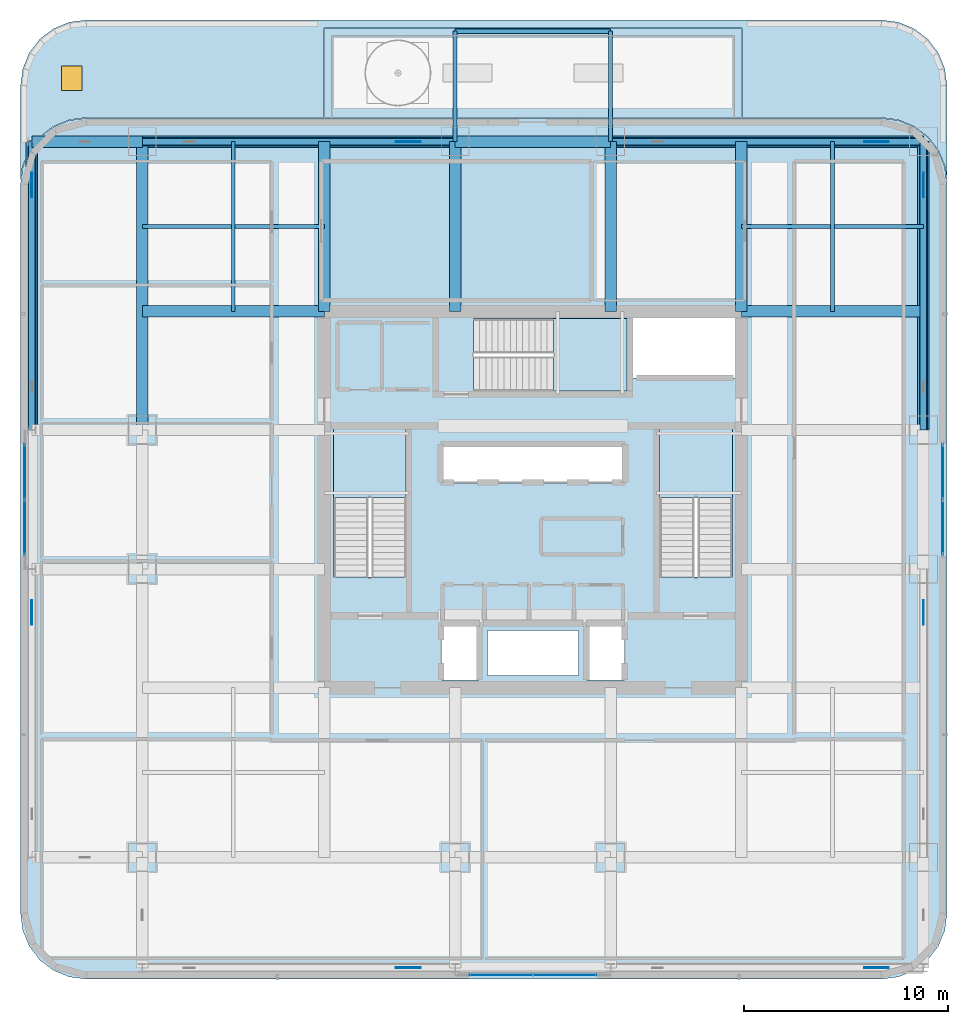
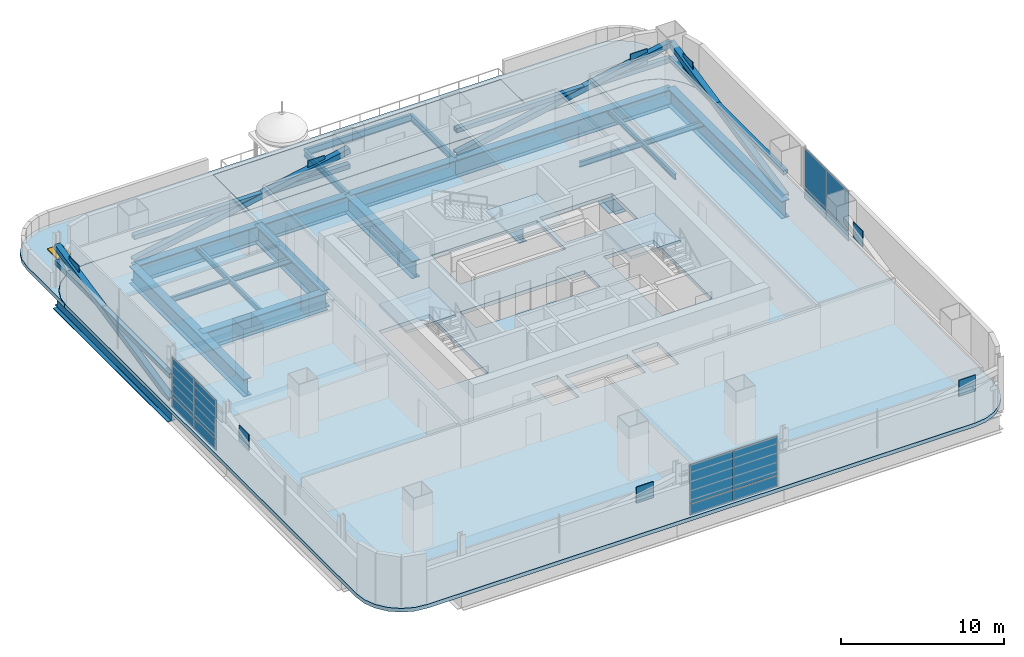
# One storey, part 6 of 29: 20 beams, 20 plates, 8 members, 6 slabs, 1 door, 1 opening, 6 elements without a shape of their own.
"""IFC4 building model written with IfcOpenShell, lengths in metres."""

from ifc_helpers import new_model, si_unit, direction, frame, origin, origin_2d, place, context, subcontext, project, spatial, polyline, rectangle, hollow_rectangle, i_section, outline, extrude, material, layer, layer_set, material_profile, profile_set, type_object, element, fill, aggregate, save


model = new_model("IFC4")

# Units and contexts
model_context = context("Model", 3, precision=1e-05, world=origin(), true_north=direction((0.0, 1.0)))
body_context = subcontext(model_context, "Body", "Model", "MODEL_VIEW")
ifc_project = project(units=[si_unit("LENGTHUNIT", "METRE"), si_unit("AREAUNIT", "SQUARE_METRE"), si_unit("VOLUMEUNIT", "CUBIC_METRE"), si_unit("PLANEANGLEUNIT", "RADIAN"), si_unit("MASSUNIT", "GRAM", prefix="KILO")], contexts=[model_context])

# Site, building, storey
site_placement = place(None, origin())
site = spatial("IfcSite", under=ifc_project, at=site_placement, CompositionType="ELEMENT")
building_placement = place(site_placement, origin())
building = spatial("IfcBuilding", under=site, at=building_placement, Name="Punatoya Terracotta Tower", CompositionType="ELEMENT")
storey_placement = place(building_placement, frame((0.0, 0.0, 172.199951171875)))
storey = spatial("IfcBuildingStorey", under=building, at=storey_placement, Name="L40", CompositionType="ELEMENT", Elevation=172.199951171875)

# Beams
ifc_material_1 = material(Name="Steel S355", Category="steel")
ifc_material_profile_1 = material_profile(ifc_material_1, i_section(OverallWidth=0.179931640625, OverallDepth=0.39990234375, WebThickness=0.008544921875, FlangeThickness=0.013427734375, FilletRadius=0.01806640625, at=origin_2d()))
ifc_profile_set_1 = profile_set([ifc_material_profile_1], Name="Steel S355")
beam_type_1 = type_object("IfcBeamType", Name="BM-SEC-400", PredefinedType="JOIST", material=ifc_profile_set_1)
for number, where, z_axis, x_axis, name in (
    (1, (-19.10009765625, 13.35009765625, -0.47998046875), (1.0, 0.0, 0.0), (0.0, 1.0, 0.0), "BM-L40-SJN-1"),
    (2, (10.199951171875, 13.35009765625, -0.47998046875), (1.0, 0.0, 0.0), (0.0, 1.0, 0.0), "BM-L40-SJN-2"),
):
    element("IfcBeam", number, at=place(storey_placement, frame(where, z_axis=z_axis, x_axis=x_axis)), inside=storey, type_object=beam_type_1, Name=name, PredefinedType="JOIST", context=body_context, shape_type="SweptSolid", body=[
        extrude(i_section(OverallWidth=0.179931640625, OverallDepth=0.39990234375, WebThickness=0.008544921875, FlangeThickness=0.013427734375, FilletRadius=0.01806640625, at=origin_2d()), origin(), (0.0, 0.0, 1.0), 8.900146484375),
    ])
for number, where, z_axis, x_axis, name in (
    (3, (-14.64990234375, 9.199951171875, -0.47998046875), (0.0, 1.0, 0.0), (-1.0, 0.0, 0.0), "BM-L40-SJW-2"),
    (4, (14.64990234375, 9.199951171875, -0.47998046875), (0.0, 1.0, 0.0), (-1.0, 0.0, 0.0), "BM-L40-SJE-2"),
):
    element("IfcBeam", number, at=place(storey_placement, frame(where, z_axis=z_axis, x_axis=x_axis)), inside=storey, type_object=beam_type_1, Name=name, PredefinedType="JOIST", context=body_context, shape_type="SweptSolid", body=[
        extrude(i_section(OverallWidth=0.179931640625, OverallDepth=0.39990234375, WebThickness=0.008544921875, FlangeThickness=0.013427734375, FilletRadius=0.01806640625, at=origin_2d()), origin(), (0.0, 0.0, 1.0), 8.300048828125),
    ])
ifc_material_profile_2 = material_profile(ifc_material_1, i_section(OverallWidth=0.199951171875, OverallDepth=0.5, WebThickness=0.01025390625, FlangeThickness=0.01611328125, FilletRadius=0.01806640625, at=origin_2d()))
ifc_profile_set_2 = profile_set([ifc_material_profile_2], Name="Steel S355")
beam_type_2 = type_object("IfcBeamType", Name="BM-SPN-500", PredefinedType="SPANDREL", material=ifc_profile_set_2)
for number, where, z_axis, x_axis, name in (
    (5, (-3.800048828125, 17.5, -0.47998046875), (0.0, 1.0, 0.0), (-1.0, 0.0, 0.0), "BM-L40-TERS-1--3"),
    (6, (3.800048828125, 17.5, -0.47998046875), (0.0, 1.0, 0.0), (-1.0, 0.0, 0.0), "BM-L40-TERS-1-3"),
):
    element("IfcBeam", number, at=place(storey_placement, frame(where, z_axis=z_axis, x_axis=x_axis)), inside=storey, type_object=beam_type_2, Name=name, PredefinedType="SPANDREL", context=body_context, shape_type="SweptSolid", body=[
        extrude(i_section(OverallWidth=0.199951171875, OverallDepth=0.5, WebThickness=0.01025390625, FlangeThickness=0.01611328125, FilletRadius=0.01806640625, at=origin_2d()), origin(), (0.0, 0.0, 1.0), 5.39990234375),
    ])
beam_1_placement = place(storey_placement, frame((-3.800048828125, 22.89990234375, -0.47998046875), z_axis=(1.0, 0.0, 0.0), x_axis=(0.0, 1.0, 0.0)))
element("IfcBeam", 7, at=beam_1_placement, inside=storey, type_object=beam_type_2, Name="BM-L40-TERE-1", PredefinedType="SPANDREL", context=body_context, shape_type="SweptSolid", body=[
    extrude(i_section(OverallWidth=0.199951171875, OverallDepth=0.5, WebThickness=0.01025390625, FlangeThickness=0.01611328125, FilletRadius=0.01806640625, at=origin_2d()), origin(), (0.0, 0.0, 1.0), 7.60009765625),
])
ifc_material_2 = material(Name="Steel S460", Category="steel")
ifc_material_profile_3 = material_profile(ifc_material_2, i_section(OverallWidth=0.56005859375, OverallDepth=1.320068359375, WebThickness=0.035888671875, FlangeThickness=0.054931640625, FilletRadius=0.01806640625, at=origin_2d()))
ifc_profile_set_3 = profile_set([ifc_material_profile_3], Name="Steel S460")
beam_type_3 = type_object("IfcBeamType", Name="BM-TG-BLK", PredefinedType="BEAM", material=ifc_profile_set_3)
beam_2_placement = place(storey_placement, frame((-19.10009765625, 17.5, -0.93994140625), z_axis=(1.0, 0.0, 0.0), x_axis=(0.0, 1.0, 0.0)))
element("IfcBeam", 8, at=beam_2_placement, inside=storey, type_object=beam_type_3, Name="BM-L40-RG-N1", PredefinedType="BEAM", context=body_context, shape_type="SweptSolid", body=[
    extrude(i_section(OverallWidth=0.56005859375, OverallDepth=1.320068359375, WebThickness=0.035888671875, FlangeThickness=0.054931640625, FilletRadius=0.01806640625, at=origin_2d()), origin(), (0.0, 0.0, 1.0), 15.300048828125),
])
beam_3_placement = place(storey_placement, frame((-3.800048828125, 17.5, -0.93994140625), z_axis=(1.0, 0.0, 0.0), x_axis=(0.0, 1.0, 0.0)))
element("IfcBeam", 9, at=beam_3_placement, inside=storey, type_object=beam_type_3, Name="BM-L40-RG-N2", PredefinedType="BEAM", context=body_context, shape_type="SweptSolid", body=[
    extrude(i_section(OverallWidth=0.56005859375, OverallDepth=1.320068359375, WebThickness=0.035888671875, FlangeThickness=0.054931640625, FilletRadius=0.01806640625, at=origin_2d()), origin(), (0.0, 0.0, 1.0), 7.60009765625),
])
beam_4_placement = place(storey_placement, frame((3.800048828125, 17.5, -0.93994140625), z_axis=(1.0, 0.0, 0.0), x_axis=(0.0, 1.0, 0.0)))
element("IfcBeam", 10, at=beam_4_placement, inside=storey, type_object=beam_type_3, Name="BM-L40-RG-N3", PredefinedType="BEAM", context=body_context, shape_type="SweptSolid", body=[
    extrude(i_section(OverallWidth=0.56005859375, OverallDepth=1.320068359375, WebThickness=0.035888671875, FlangeThickness=0.054931640625, FilletRadius=0.01806640625, at=origin_2d()), origin(), (0.0, 0.0, 1.0), 15.300048828125),
])
for number, where, z_axis, x_axis, name in (
    (11, (-19.10009765625, 3.39990234375, -0.93994140625), (0.0, 1.0, 0.0), (-1.0, 0.0, 0.0), "BM-L40-RG-W3"),
    (12, (19.10009765625, 3.39990234375, -0.93994140625), (0.0, 1.0, 0.0), (-1.0, 0.0, 0.0), "BM-L40-RG-E3"),
):
    element("IfcBeam", number, at=place(storey_placement, frame(where, z_axis=z_axis, x_axis=x_axis)), inside=storey, type_object=beam_type_3, Name=name, PredefinedType="BEAM", context=body_context, shape_type="SweptSolid", body=[
        extrude(i_section(OverallWidth=0.56005859375, OverallDepth=1.320068359375, WebThickness=0.035888671875, FlangeThickness=0.054931640625, FilletRadius=0.01806640625, at=origin_2d()), origin(), (0.0, 0.0, 1.0), 14.10009765625),
    ])
for number, where, z_axis, x_axis, name in (
    (13, (-19.10009765625, 9.199951171875, -0.93994140625), (1.0, 0.0, 0.0), (0.0, 1.0, 0.0), "BM-L40-PR-WN"),
    (14, (10.199951171875, 9.199951171875, -0.93994140625), (1.0, 0.0, 0.0), (0.0, 1.0, 0.0), "BM-L40-PR-EN"),
):
    element("IfcBeam", number, at=place(storey_placement, frame(where, z_axis=z_axis, x_axis=x_axis)), inside=storey, type_object=beam_type_3, Name=name, PredefinedType="BEAM", context=body_context, shape_type="SweptSolid", body=[
        extrude(i_section(OverallWidth=0.56005859375, OverallDepth=1.320068359375, WebThickness=0.035888671875, FlangeThickness=0.054931640625, FilletRadius=0.01806640625, at=origin_2d()), origin(), (0.0, 0.0, 1.0), 8.900146484375),
    ])
for number, where, z_axis, x_axis, name in (
    (15, (-10.199951171875, 9.199951171875, -0.93994140625), (0.0, 1.0, 0.0), (-1.0, 0.0, 0.0), "BM-L40-PR-N1"),
    (16, (-3.800048828125, 9.199951171875, -0.93994140625), (0.0, 1.0, 0.0), (-1.0, 0.0, 0.0), "BM-L40-PR-N2"),
    (17, (3.800048828125, 9.199951171875, -0.93994140625), (0.0, 1.0, 0.0), (-1.0, 0.0, 0.0), "BM-L40-PR-N3"),
    (18, (10.199951171875, 9.199951171875, -0.93994140625), (0.0, 1.0, 0.0), (-1.0, 0.0, 0.0), "BM-L40-PR-N4"),
):
    element("IfcBeam", number, at=place(storey_placement, frame(where, z_axis=z_axis, x_axis=x_axis)), inside=storey, type_object=beam_type_3, Name=name, PredefinedType="BEAM", context=body_context, shape_type="SweptSolid", body=[
        extrude(i_section(OverallWidth=0.56005859375, OverallDepth=1.320068359375, WebThickness=0.035888671875, FlangeThickness=0.054931640625, FilletRadius=0.01806640625, at=origin_2d()), origin(), (0.0, 0.0, 1.0), 8.300048828125),
    ])
beam_5_placement = place(storey_placement, frame((-24.5, 17.5, -0.93994140625), z_axis=(1.0, 0.0, 0.0), x_axis=(0.0, 1.0, 0.0)))
element("IfcBeam", 19, at=beam_5_placement, inside=storey, type_object=beam_type_3, Name="BM-L40-CANT-W4", PredefinedType="BEAM", context=body_context, shape_type="SweptSolid", body=[
    extrude(i_section(OverallWidth=0.56005859375, OverallDepth=1.320068359375, WebThickness=0.035888671875, FlangeThickness=0.054931640625, FilletRadius=0.01806640625, at=origin_2d()), origin(), (0.0, 0.0, 1.0), 5.39990234375),
])
beam_6_placement = place(storey_placement, frame((-24.5, 3.39990234375, -0.93994140625), z_axis=(0.0, 1.0, 0.0), x_axis=(-1.0, 0.0, 0.0)))
element("IfcBeam", 20, at=beam_6_placement, inside=storey, type_object=beam_type_3, Name="BM-L40-PER-W3", PredefinedType="BEAM", context=body_context, shape_type="SweptSolid", body=[
    extrude(i_section(OverallWidth=0.56005859375, OverallDepth=1.320068359375, WebThickness=0.035888671875, FlangeThickness=0.054931640625, FilletRadius=0.01806640625, at=origin_2d()), origin(), (0.0, 0.0, 1.0), 14.10009765625),
])

# Members
ifc_material_profile_4 = material_profile(ifc_material_2, hollow_rectangle(XDim=0.320068359375, YDim=0.320068359375, WallThickness=0.01806640625, at=origin_2d()))
ifc_profile_set_4 = profile_set([ifc_material_profile_4], Name="Steel S460")
member_type_1 = type_object("IfcMemberType", Name="MEM-CHD-320", PredefinedType="CHORD", material=ifc_profile_set_4)
for number, where, z_axis, x_axis, name in (
    (21, (-19.10009765625, 17.5, 1.85009765625), (1.0, 0.0, 0.0), (0.0, 1.0, 0.0), "L40 Exoskeleton Belt Truss Tie Chord N1"),
    (22, (3.800048828125, 17.5, 1.85009765625), (1.0, 0.0, 0.0), (0.0, 1.0, 0.0), "L40 Exoskeleton Belt Truss Tie Chord N3"),
):
    element("IfcMember", number, at=place(storey_placement, frame(where, z_axis=z_axis, x_axis=x_axis)), inside=storey, type_object=member_type_1, Name=name, PredefinedType="CHORD", context=body_context, shape_type="SweptSolid", body=[
        extrude(hollow_rectangle(XDim=0.320068359375, YDim=0.320068359375, WallThickness=0.01806640625, at=origin_2d()), origin(), (0.0, 0.0, 1.0), 15.300048828125),
    ])
for number, where, z_axis, x_axis, name in (
    (23, (-24.5, 3.39990234375, 1.85009765625), (0.0, 1.0, 0.0), (-1.0, 0.0, 0.0), "L40 Exoskeleton Belt Truss Tie Chord W3"),
    (24, (19.10009765625, 3.39990234375, 1.85009765625), (0.0, 1.0, 0.0), (-1.0, 0.0, 0.0), "L40 Exoskeleton Belt Truss Tie Chord E3"),
):
    element("IfcMember", number, at=place(storey_placement, frame(where, z_axis=z_axis, x_axis=x_axis)), inside=storey, type_object=member_type_1, Name=name, PredefinedType="CHORD", context=body_context, shape_type="SweptSolid", body=[
        extrude(hollow_rectangle(XDim=0.320068359375, YDim=0.320068359375, WallThickness=0.01806640625, at=origin_2d()), origin(), (0.0, 0.0, 1.0), 14.10009765625),
    ])
ifc_material_profile_5 = material_profile(ifc_material_2, hollow_rectangle(XDim=0.39990234375, YDim=0.39990234375, WallThickness=0.02197265625, at=origin_2d()))
ifc_profile_set_5 = profile_set([ifc_material_profile_5], Name="Steel S460")
member_type_2 = type_object("IfcMemberType", Name="MEM-EXO-400", PredefinedType="BRACE", material=ifc_profile_set_5)
for number, where, z_axis, x_axis, name in (
    (25, (-19.10009765625, 17.5, 0.02001953125), (0.981192463394, 0.0, 0.193031991594), (0.0, 1.0, 0.0), "L40 Exoskeleton Belt Brace N1"),
    (26, (3.800048828125, 17.5, 0.02001953125), (0.981192463394, 0.0, 0.193031991594), (0.0, 1.0, 0.0), "L40 Exoskeleton Belt Brace N3"),
):
    element("IfcMember", number, at=place(storey_placement, frame(where, z_axis=z_axis, x_axis=x_axis)), inside=storey, type_object=member_type_2, Name=name, PredefinedType="BRACE", context=body_context, shape_type="SweptSolid", body=[
        extrude(hollow_rectangle(XDim=0.39990234375, YDim=0.39990234375, WallThickness=0.02197265625, at=origin_2d()), origin(), (0.0, 0.0, 1.0), 15.59326171875),
    ])
for number, where, z_axis, x_axis, name in (
    (27, (-24.5, 3.39990234375, 0.02001953125), (0.0, 0.977964679292, 0.208770414707), (-1.0, 0.0, 0.0), "L40 Exoskeleton Belt Brace W3"),
    (28, (19.10009765625, 3.39990234375, 0.02001953125), (0.0, 0.977964679292, 0.208770414707), (-1.0, 0.0, 0.0), "L40 Exoskeleton Belt Brace E3"),
):
    element("IfcMember", number, at=place(storey_placement, frame(where, z_axis=z_axis, x_axis=x_axis)), inside=storey, type_object=member_type_2, Name=name, PredefinedType="BRACE", context=body_context, shape_type="SweptSolid", body=[
        extrude(hollow_rectangle(XDim=0.39990234375, YDim=0.39990234375, WallThickness=0.02197265625, at=origin_2d()), origin(), (0.0, 0.0, 1.0), 14.417724609375),
    ])

# Curtain wall, plates
ifc_material_3 = material(Name="Aluminium 6063-T6 + Double Low-E Glass", Category="aluminium")
curtain_wall_type = type_object("IfcCurtainWallType", Name="CW-M2", PredefinedType="NOTDEFINED", material=ifc_material_3)
curtain_wall_1_placement = place(storey_placement, origin())
curtain_wall_1 = element("IfcCurtainWall", 29, at=curtain_wall_1_placement, inside=storey, type_object=curtain_wall_type, Name="L40 Curtain Wall CW-L40-S01-1", PredefinedType="NOTDEFINED")
ifc_material_4 = material(Name="Double Low-E Acoustic Vision Glass", Category="glass")
ifc_layer_1 = layer(ifc_material_4, 0.031982421875)
ifc_layer_set_1 = layer_set([ifc_layer_1], Name="Double Low-E Acoustic Vision Glass")
plate_type_1 = type_object("IfcPlateType", Name="PLT-GLZ-32", PredefinedType="CURTAIN_PANEL", material=ifc_layer_set_1)
plate_1_placement = place(storey_placement, frame((-1.574951171875, -23.25, 0.89013671875), z_axis=(0.0, 0.0, 1.0), x_axis=(1.0, 0.0, 0.0)))
plate_1 = element("IfcPlate", 30, at=plate_1_placement, type_object=plate_type_1, Name="CW-L40-S01-1 Vision Glass Panel 1", PredefinedType="CURTAIN_PANEL", context=body_context, shape_type="SweptSolid", body=[
    extrude(rectangle(XDim=3.06494140625, YDim=0.031982421875, at=origin_2d()), origin(), (0.0, 0.0, 1.0), 2.89990234375),
])
plate_2_placement = place(storey_placement, frame((1.574951171875, -23.25, 0.89013671875), z_axis=(0.0, 0.0, 1.0), x_axis=(1.0, 0.0, 0.0)))
plate_2 = element("IfcPlate", 31, at=plate_2_placement, type_object=plate_type_1, Name="CW-L40-S01-1 Vision Glass Panel 2", PredefinedType="CURTAIN_PANEL", context=body_context, shape_type="SweptSolid", body=[
    extrude(rectangle(XDim=3.06494140625, YDim=0.031982421875, at=origin_2d()), origin(), (0.0, 0.0, 1.0), 2.89990234375),
])

curtain_wall_2_placement = place(storey_placement, origin())
curtain_wall_2 = element("IfcCurtainWall", 32, at=curtain_wall_2_placement, inside=storey, type_object=curtain_wall_type, Name="L40 Curtain Wall CW-L40-E05-1", PredefinedType="NOTDEFINED")
plate_3_placement = place(storey_placement, frame((20.050048828125, -1.375, 0.89013671875), z_axis=(0.0, 0.0, 1.0), x_axis=(0.0, 1.0, 0.0)))
plate_3 = element("IfcPlate", 33, at=plate_3_placement, type_object=plate_type_1, Name="CW-L40-E05-1 Vision Glass Panel 1", PredefinedType="CURTAIN_PANEL", context=body_context, shape_type="SweptSolid", body=[
    extrude(rectangle(XDim=2.6650390625, YDim=0.031982421875, at=origin_2d()), origin(), (0.0, 0.0, 1.0), 2.89990234375),
])
plate_4_placement = place(storey_placement, frame((20.050048828125, 1.375, 0.89013671875), z_axis=(0.0, 0.0, 1.0), x_axis=(0.0, 1.0, 0.0)))
plate_4 = element("IfcPlate", 34, at=plate_4_placement, type_object=plate_type_1, Name="CW-L40-E05-1 Vision Glass Panel 2", PredefinedType="CURTAIN_PANEL", context=body_context, shape_type="SweptSolid", body=[
    extrude(rectangle(XDim=2.6650390625, YDim=0.031982421875, at=origin_2d()), origin(), (0.0, 0.0, 1.0), 2.89990234375),
])

curtain_wall_3_placement = place(storey_placement, origin())
curtain_wall_3 = element("IfcCurtainWall", 35, at=curtain_wall_3_placement, inside=storey, type_object=curtain_wall_type, Name="L40 Curtain Wall CW-L40-W13-1", PredefinedType="NOTDEFINED")
plate_5_placement = place(storey_placement, frame((-24.85009765625, 1.375, 0.89013671875), z_axis=(0.0, 0.0, 1.0), x_axis=(0.0, -1.0, 0.0)))
plate_5 = element("IfcPlate", 36, at=plate_5_placement, type_object=plate_type_1, Name="CW-L40-W13-1 Vision Glass Panel 1", PredefinedType="CURTAIN_PANEL", context=body_context, shape_type="SweptSolid", body=[
    extrude(rectangle(XDim=2.6650390625, YDim=0.031982421875, at=origin_2d()), origin(), (0.0, 0.0, 1.0), 2.89990234375),
])
plate_6_placement = place(storey_placement, frame((-24.85009765625, -1.375, 0.89013671875), z_axis=(0.0, 0.0, 1.0), x_axis=(0.0, -1.0, 0.0)))
plate_6 = element("IfcPlate", 37, at=plate_6_placement, type_object=plate_type_1, Name="CW-L40-W13-1 Vision Glass Panel 2", PredefinedType="CURTAIN_PANEL", context=body_context, shape_type="SweptSolid", body=[
    extrude(rectangle(XDim=2.6650390625, YDim=0.031982421875, at=origin_2d()), origin(), (0.0, 0.0, 1.0), 2.89990234375),
])

# Plates
ifc_layer_2 = layer(ifc_material_2, 0.044921875)
ifc_layer_set_2 = layer_set([ifc_layer_2], Name="Steel S460")
plate_type_2 = type_object("IfcPlateType", Name="PLT-GUS-45", PredefinedType="USERDEFINED", material=ifc_layer_set_2)
for number, where, z_axis, x_axis, name in (
    (38, (-6.094970703125, -22.89990234375, 1.978515625), (0.0, 0.0, 1.0), (1.0, 0.0, 0.0), "L40 Exoskeleton Node Gusset Plate S1"),
    (39, (16.804931640625, -22.89990234375, 1.978515625), (0.0, 0.0, 1.0), (1.0, 0.0, 0.0), "L40 Exoskeleton Node Gusset Plate S3"),
    (40, (-6.094970703125, 17.5, 1.978515625), (0.0, 0.0, 1.0), (1.0, 0.0, 0.0), "L40 Exoskeleton Node Gusset Plate N1"),
    (41, (16.804931640625, 17.5, 1.978515625), (0.0, 0.0, 1.0), (1.0, 0.0, 0.0), "L40 Exoskeleton Node Gusset Plate N3"),
    (42, (-24.5, -5.514892578125, 1.978515625), (0.0, 0.0, 1.0), (0.0, 1.0, 0.0), "L40 Exoskeleton Node Gusset Plate W1"),
    (43, (-24.5, 15.385009765625, 1.978515625), (0.0, 0.0, 1.0), (0.0, 1.0, 0.0), "L40 Exoskeleton Node Gusset Plate W3"),
    (44, (19.10009765625, -5.514892578125, 1.978515625), (0.0, 0.0, 1.0), (0.0, 1.0, 0.0), "L40 Exoskeleton Node Gusset Plate E1"),
    (45, (19.10009765625, 15.385009765625, 1.978515625), (0.0, 0.0, 1.0), (0.0, 1.0, 0.0), "L40 Exoskeleton Node Gusset Plate E3"),
):
    element("IfcPlate", number, at=place(storey_placement, frame(where, z_axis=z_axis, x_axis=x_axis)), inside=storey, type_object=plate_type_2, Name=name, ObjectType="GUSSET_PLATE", PredefinedType="USERDEFINED", context=body_context, shape_type="SweptSolid", body=[
        extrude(rectangle(XDim=1.199951171875, YDim=0.044921875, at=origin_2d()), origin(), (0.0, 0.0, 1.0), 1.199951171875),
    ])

# Plate
ifc_material_5 = material(Name="Insulated Terracotta-Backed Spandrel Panel", Category="masonry")
ifc_layer_3 = layer(ifc_material_5, 0.044921875)
ifc_layer_set_3 = layer_set([ifc_layer_3], Name="Insulated Terracotta-Backed Spandrel Panel")
plate_type_3 = type_object("IfcPlateType", Name="PLT-SPN-45", PredefinedType="CURTAIN_PANEL", material=ifc_layer_set_3)
plate_7_placement = place(storey_placement, frame((-1.574951171875, -23.25, 0.0400390625), z_axis=(0.0, 0.0, 1.0), x_axis=(1.0, 0.0, 0.0)))
plate_7 = element("IfcPlate", 46, at=plate_7_placement, type_object=plate_type_3, Name="CW-L40-S01-1 Terracotta Spandrel Panel 1", PredefinedType="CURTAIN_PANEL", context=body_context, shape_type="SweptSolid", body=[
    extrude(rectangle(XDim=3.06494140625, YDim=0.044921875, at=origin_2d()), origin(), (0.0, 0.0, 1.0), 0.77490234375),
])

plate_8_placement = place(storey_placement, frame((1.574951171875, -23.25, 0.0400390625), z_axis=(0.0, 0.0, 1.0), x_axis=(1.0, 0.0, 0.0)))
plate_8 = element("IfcPlate", 47, at=plate_8_placement, type_object=plate_type_3, Name="CW-L40-S01-1 Terracotta Spandrel Panel 2", PredefinedType="CURTAIN_PANEL", context=body_context, shape_type="SweptSolid", body=[
    extrude(rectangle(XDim=3.06494140625, YDim=0.044921875, at=origin_2d()), origin(), (0.0, 0.0, 1.0), 0.77490234375),
])

aggregate(curtain_wall_1, [plate_7, plate_1, plate_8, plate_2])

plate_9_placement = place(storey_placement, frame((20.050048828125, -1.375, 0.0400390625), z_axis=(0.0, 0.0, 1.0), x_axis=(0.0, 1.0, 0.0)))
plate_9 = element("IfcPlate", 48, at=plate_9_placement, type_object=plate_type_3, Name="CW-L40-E05-1 Terracotta Spandrel Panel 1", PredefinedType="CURTAIN_PANEL", context=body_context, shape_type="SweptSolid", body=[
    extrude(rectangle(XDim=2.6650390625, YDim=0.044921875, at=origin_2d()), origin(), (0.0, 0.0, 1.0), 0.77490234375),
])

plate_10_placement = place(storey_placement, frame((20.050048828125, 1.375, 0.0400390625), z_axis=(0.0, 0.0, 1.0), x_axis=(0.0, 1.0, 0.0)))
plate_10 = element("IfcPlate", 49, at=plate_10_placement, type_object=plate_type_3, Name="CW-L40-E05-1 Terracotta Spandrel Panel 2", PredefinedType="CURTAIN_PANEL", context=body_context, shape_type="SweptSolid", body=[
    extrude(rectangle(XDim=2.6650390625, YDim=0.044921875, at=origin_2d()), origin(), (0.0, 0.0, 1.0), 0.77490234375),
])

aggregate(curtain_wall_2, [plate_9, plate_3, plate_10, plate_4])

plate_11_placement = place(storey_placement, frame((-24.85009765625, 1.375, 0.0400390625), z_axis=(0.0, 0.0, 1.0), x_axis=(0.0, -1.0, 0.0)))
plate_11 = element("IfcPlate", 50, at=plate_11_placement, type_object=plate_type_3, Name="CW-L40-W13-1 Terracotta Spandrel Panel 1", PredefinedType="CURTAIN_PANEL", context=body_context, shape_type="SweptSolid", body=[
    extrude(rectangle(XDim=2.6650390625, YDim=0.044921875, at=origin_2d()), origin(), (0.0, 0.0, 1.0), 0.77490234375),
])

plate_12_placement = place(storey_placement, frame((-24.85009765625, -1.375, 0.0400390625), z_axis=(0.0, 0.0, 1.0), x_axis=(0.0, -1.0, 0.0)))
plate_12 = element("IfcPlate", 51, at=plate_12_placement, type_object=plate_type_3, Name="CW-L40-W13-1 Terracotta Spandrel Panel 2", PredefinedType="CURTAIN_PANEL", context=body_context, shape_type="SweptSolid", body=[
    extrude(rectangle(XDim=2.6650390625, YDim=0.044921875, at=origin_2d()), origin(), (0.0, 0.0, 1.0), 0.77490234375),
])

aggregate(curtain_wall_3, [plate_11, plate_5, plate_12, plate_6])

# Stair, slab
ifc_material_6 = material(Name="Concrete C40/50", Category="concrete")
stair_type_1 = type_object("IfcStairType", Name="STR-TER-1450", PredefinedType="HALF_TURN_STAIR", material=ifc_material_6)
stair_1_placement = place(storey_placement, origin())
stair_1 = element("IfcStair", 52, at=stair_1_placement, inside=storey, type_object=stair_type_1, Name="L40 Protected Core Exit Stair ST-3", PredefinedType="HALF_TURN_STAIR")
ifc_layer_4 = layer(ifc_material_6, 0.1650390625)
ifc_layer_set_4 = layer_set([ifc_layer_4], Name="Concrete C40/50")
slab_type_1 = type_object("IfcSlabType", Name="SLB-LND-165", PredefinedType="LANDING", material=ifc_layer_set_4)
slab_1_placement = place(storey_placement, frame((0.0, 0.0, 1.824951171875)))
slab_1 = element("IfcSlab", 53, at=slab_1_placement, type_object=slab_type_1, Name="ST-3 landing 1", PredefinedType="LANDING", context=body_context, shape_type="SweptSolid", body=[
    extrude(outline(polyline([(1.0, 5.300048828125), (4.60009765625, 5.300048828125), (4.60009765625, 8.85009765625), (1.0, 8.85009765625), (1.0, 5.300048828125)])), origin(), (0.0, 0.0, 1.0), 0.2001953125),
])
aggregate(stair_1, [slab_1])

stair_type_2 = type_object("IfcStairType", Name="STR-CORE-1550", PredefinedType="HALF_TURN_STAIR", material=ifc_material_6)
stair_2_placement = place(storey_placement, origin())
stair_2 = element("IfcStair", 54, at=stair_2_placement, inside=storey, type_object=stair_type_2, Name="L40 Protected Core Exit Stair ST-1", PredefinedType="HALF_TURN_STAIR")
ifc_layer_5 = layer(ifc_material_6, 0.179931640625)
ifc_layer_set_5 = layer_set([ifc_layer_5], Name="Concrete C40/50")
slab_type_2 = type_object("IfcSlabType", Name="SLB-LND-180", PredefinedType="LANDING", material=ifc_layer_set_5)
slab_2_placement = place(storey_placement, frame((0.0, 0.0, 1.824951171875)))
slab_2 = element("IfcSlab", 55, at=slab_2_placement, type_object=slab_type_2, Name="ST-1 landing 1", PredefinedType="LANDING", context=body_context, shape_type="SweptSolid", body=[
    extrude(outline(polyline([(-6.199951171875, 0.10009765625), (-6.199951171875, 3.449951171875), (-9.75, 3.449951171875), (-9.75, 0.10009765625), (-6.199951171875, 0.10009765625)])), origin(), (0.0, 0.0, 1.0), 0.2001953125),
])
aggregate(stair_2, [slab_2])

stair_type_3 = type_object("IfcStairType", Name="STR-LOB-1650", PredefinedType="HALF_TURN_STAIR", material=ifc_material_6)
stair_3_placement = place(storey_placement, origin())
stair_3 = element("IfcStair", 56, at=stair_3_placement, inside=storey, type_object=stair_type_3, Name="L40 Protected Core Exit Stair ST-2", PredefinedType="HALF_TURN_STAIR")
slab_3_placement = place(storey_placement, frame((0.0, 0.0, 1.824951171875)))
slab_3 = element("IfcSlab", 57, at=slab_3_placement, type_object=slab_type_2, Name="ST-2 landing 1", PredefinedType="LANDING", context=body_context, shape_type="SweptSolid", body=[
    extrude(outline(polyline([(9.75, 0.10009765625), (9.75, 3.449951171875), (6.199951171875, 3.449951171875), (6.199951171875, 0.10009765625), (9.75, 0.10009765625)])), origin(), (0.0, 0.0, 1.0), 0.2001953125),
])
aggregate(stair_3, [slab_3])

# Slab
ifc_layer_6 = layer(ifc_material_6, 0.280029296875)
ifc_layer_set_6 = layer_set([ifc_layer_6], Name="Concrete C40/50")
slab_type_3 = type_object("IfcSlabType", Name="SLB-POD-280", PredefinedType="FLOOR", material=ifc_layer_set_6)
slab_4_placement = place(storey_placement, frame((0.0, 0.0, -0.280029296875)))
element("IfcSlab", 58, at=slab_4_placement, inside=storey, type_object=slab_type_3, Name="L40 Structural Floor Slab", PredefinedType="FLOOR", context=body_context, shape_type="SweptSolid", body=[
    extrude(outline(polyline([(-21.85009765625, -23.449951171875), (-22.67822265625, -23.341064453125), (-23.449951171875, -23.021240234375), (-24.11279296875, -22.5126953125), (-24.621337890625, -21.85009765625), (-24.94091796875, -21.078125), (-25.050048828125, -20.25), (-25.050048828125, 15.449951171875), (-24.94091796875, 16.2783203125), (-24.621337890625, 17.050048828125), (-24.11279296875, 17.712646484375), (-23.449951171875, 18.22119140625), (-22.67822265625, 18.541015625), (-21.85009765625, 18.64990234375), (17.050048828125, 18.64990234375), (17.878173828125, 18.541015625), (18.64990234375, 18.22119140625), (19.312744140625, 17.712646484375), (19.8212890625, 17.050048828125), (20.14111328125, 16.2783203125), (20.25, 15.449951171875), (20.25, -20.25), (20.14111328125, -21.078125), (19.8212890625, -21.85009765625), (19.312744140625, -22.5126953125), (18.64990234375, -23.021240234375), (17.878173828125, -23.341064453125), (17.050048828125, -23.449951171875), (-21.85009765625, -23.449951171875)]), holes=[polyline([(-2.6298828125, -6.179931640625), (-4.469970703125, -6.179931640625), (-4.469970703125, -8.820068359375), (-2.6298828125, -8.820068359375), (-2.6298828125, -6.179931640625)]), polyline([(0.02001953125, -8.594970703125), (2.219970703125, -8.594970703125), (2.219970703125, -6.405029296875), (0.02001953125, -6.405029296875), (-0.02001953125, -6.405029296875), (-2.219970703125, -6.405029296875), (-2.219970703125, -8.594970703125), (-0.02001953125, -8.594970703125), (0.02001953125, -8.594970703125)]), polyline([(-6.199951171875, 3.449951171875), (-9.75, 3.449951171875), (-9.75, -3.79931640625), (-6.199951171875, -3.79931640625), (-6.199951171875, 3.449951171875)]), polyline([(-4.419921875, 2.719970703125), (-4.419921875, 0.780029296875), (-2.219970703125, 0.780029296875), (-2.179931640625, 0.780029296875), (-0.02001953125, 0.780029296875), (0.02001953125, 0.780029296875), (2.179931640625, 0.780029296875), (2.219970703125, 0.780029296875), (4.419921875, 0.780029296875), (4.419921875, 2.719970703125), (2.219970703125, 2.719970703125), (2.179931640625, 2.719970703125), (0.02001953125, 2.719970703125), (-0.02001953125, 2.719970703125), (-2.179931640625, 2.719970703125), (-2.219970703125, 2.719970703125), (-4.419921875, 2.719970703125)]), polyline([(4.60009765625, 5.300048828125), (4.60009765625, 8.85009765625), (-2.899169921875, 8.85009765625), (-2.899169921875, 5.300048828125), (4.60009765625, 5.300048828125)]), polyline([(4.469970703125, -8.820068359375), (4.469970703125, -6.179931640625), (2.6298828125, -6.179931640625), (2.6298828125, -8.820068359375), (4.469970703125, -8.820068359375)]), polyline([(9.75, 3.449951171875), (6.199951171875, 3.449951171875), (6.199951171875, -3.79931640625), (9.75, -3.79931640625), (9.75, 3.449951171875)]), polyline([(10.050048828125, 5.949951171875), (10.050048828125, 9.050048828125), (4.89990234375, 9.050048828125), (4.89990234375, 5.949951171875), (10.050048828125, 5.949951171875)])]), origin(), (0.0, 0.0, 1.0), 0.280029296875),
])

# Slab, opening, door
ifc_layer_7 = layer(ifc_material_6, 0.280029296875)
ifc_layer_set_7 = layer_set([ifc_layer_7], Name="Concrete C40/50")
slab_type_4 = type_object("IfcSlabType", Name="SLB-ROF-280", PredefinedType="ROOF", material=ifc_layer_set_7)
slab_5_placement = place(storey_placement, frame((0.0, 0.0, -0.280029296875)))
slab_5 = element("IfcSlab", 59, at=slab_5_placement, inside=storey, type_object=slab_type_4, Name="L40 Junction Roof Slab 1 over L39 Plate", PredefinedType="ROOF", context=body_context, shape_type="SweptSolid", body=[
    extrude(outline(polyline([(-24.621337890625, 21.85009765625), (-24.94091796875, 21.078125), (-25.050048828125, 20.25), (-25.050048828125, 15.603271484375), (-24.96044921875, 16.283447265625), (-24.638916015625, 17.06005859375), (-24.126953125, 17.72705078125), (-23.460205078125, 18.23876953125), (-22.683349609375, 18.560546875), (-21.851318359375, 18.669921875), (-10.219970703125, 18.669921875), (-10.219970703125, 23.070068359375), (10.219970703125, 23.070068359375), (10.219970703125, 18.669921875), (17.05126953125, 18.669921875), (17.88330078125, 18.560546875), (18.66015625, 18.23876953125), (19.326904296875, 17.72705078125), (19.8388671875, 17.06005859375), (20.160400390625, 16.283447265625), (20.25, 15.603271484375), (20.25, 20.25), (20.14111328125, 21.078125), (19.8212890625, 21.85009765625), (19.312744140625, 22.5126953125), (18.64990234375, 23.021240234375), (17.878173828125, 23.341064453125), (17.050048828125, 23.449951171875), (-21.85009765625, 23.449951171875), (-22.67822265625, 23.341064453125), (-23.449951171875, 23.021240234375), (-24.11279296875, 22.5126953125), (-24.621337890625, 21.85009765625)]), holes=[polyline([(-22.050048828125, 21.203369140625), (-22.050048828125, 20.00341796875), (-23.050048828125, 20.00341796875), (-23.050048828125, 21.203369140625), (-22.050048828125, 21.203369140625)])]), origin(), (0.0, 0.0, 1.0), 0.280029296875),
])
opening_placement = place(slab_5_placement, frame((-22.550048828125, 20.603271484375, 0.0)))
opening = element("IfcOpeningElement", 60, at=opening_placement, cuts=slab_5, Name="Opening RHT-1", PredefinedType="OPENING", context=body_context, shape_type="SweptSolid", body=[
    extrude(rectangle(XDim=1.0, YDim=1.199951171875, at=origin_2d()), frame((0.0, 0.0, -0.010009765625)), (0.0, 0.0, 1.0), 0.35009765625),
])
ifc_material_7 = material(Name="Insulated Aluminium Roof Hatch", Category="aluminium")
door_type = type_object("IfcDoorType", Name="DR-HTCH-1000", OperationType="NOTDEFINED", PredefinedType="TRAPDOOR", material=ifc_material_7)
door_placement = place(opening_placement, frame((0.0, 0.0, 0.280029296875)))
door = element("IfcDoor", 61, at=door_placement, inside=storey, type_object=door_type, Name="L40 Junction Roof Maintenance Hatch 1", OperationType="SINGLE_SWING_LEFT", OverallHeight=1.199951171875, OverallWidth=1.0, PredefinedType="TRAPDOOR", context=body_context, shape_type="SweptSolid", body=[
    extrude(rectangle(XDim=1.0, YDim=1.199951171875, at=origin_2d()), origin(), (0.0, 0.0, 1.0), 0.050048828125),
])
fill(opening, door)

# Slab
ifc_layer_8 = layer(ifc_material_6, 0.22998046875)
ifc_layer_set_8 = layer_set([ifc_layer_8], Name="Concrete C40/50")
slab_type_5 = type_object("IfcSlabType", Name="SLB-TER-230", PredefinedType="FLOOR", material=ifc_layer_set_8)
slab_6_placement = place(storey_placement, frame((0.0, 0.0, -0.22998046875)))
element("IfcSlab", 62, at=slab_6_placement, inside=storey, type_object=slab_type_5, Name="L40 Spiralling Sky Terrace", PredefinedType="FLOOR", context=body_context, shape_type="SweptSolid", body=[
    extrude(outline(polyline([(-10.199951171875, 23.050048828125), (10.199951171875, 23.050048828125), (10.199951171875, 18.669921875), (-10.199951171875, 18.669921875), (-10.199951171875, 23.050048828125)])), origin(), (0.0, 0.0, 1.0), 0.22998046875),
])

save(model, "model.ifc")
